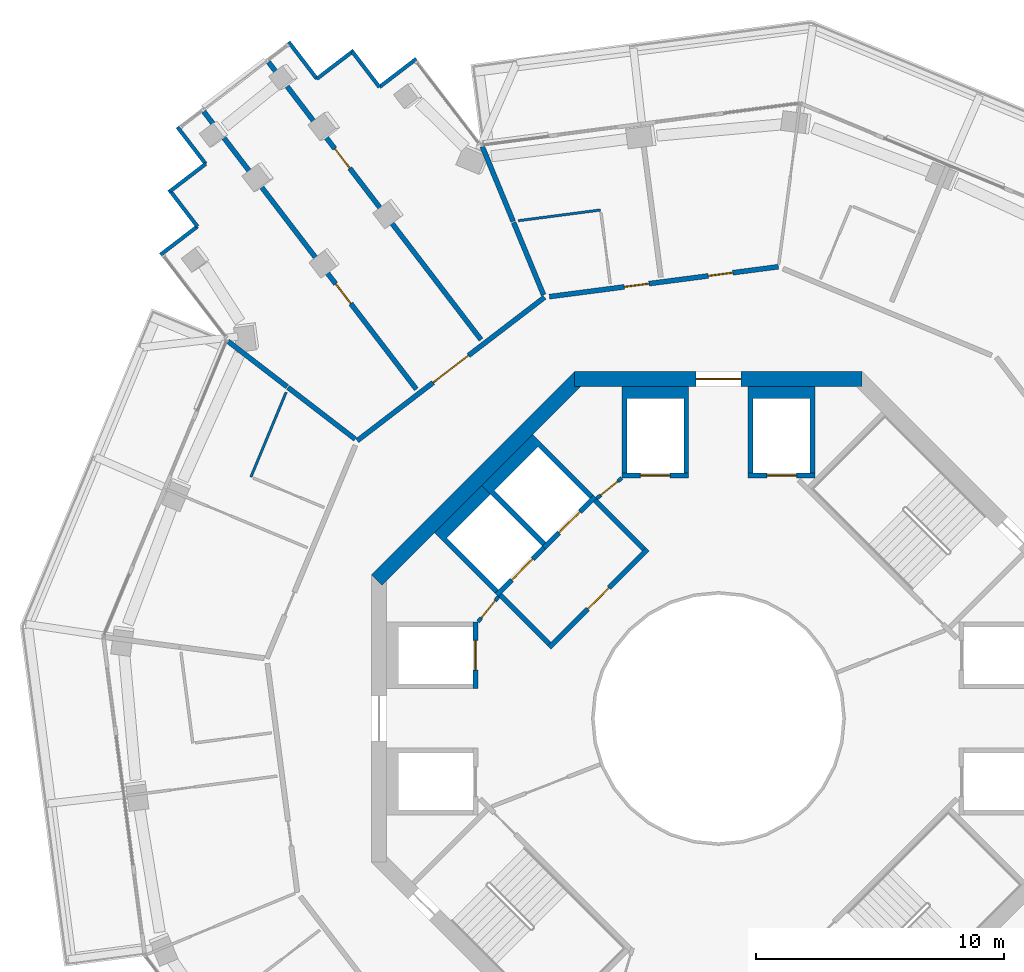
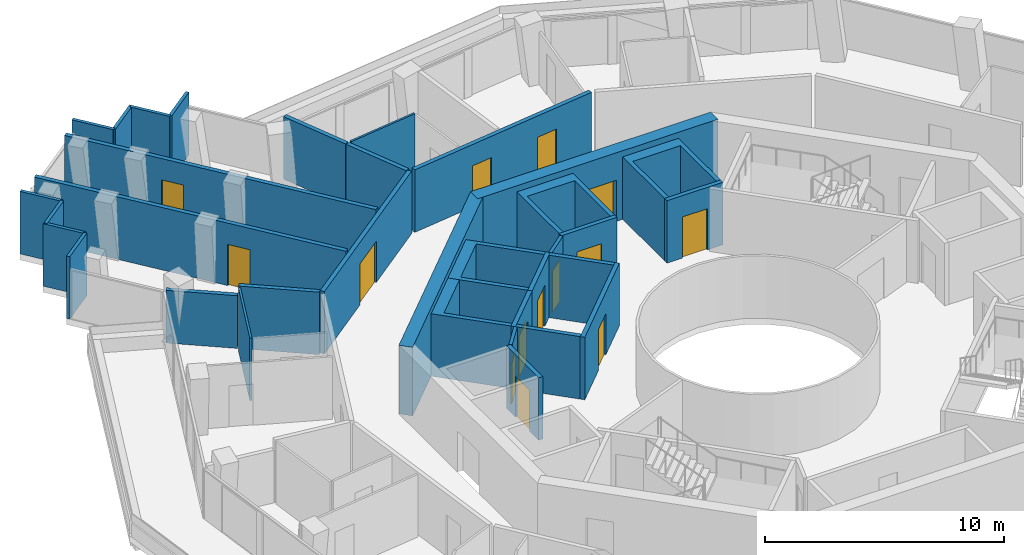
# One storey, part 20 of 25: 34 walls, 14 doors, 14 openings.
"""IFC4 building model written with IfcOpenShell, lengths in metres."""

from ifc_helpers import new_model, si_unit, direction, frame, frame_2d, origin, place, context, subcontext, project, spatial, polyline, rectangle, outline, extrude, material, layer, layer_set, type_object, element, fill, save


model = new_model("IFC4")

# Units and contexts
model_context = context("Model", 3, precision=1e-05, world=origin(), true_north=direction((0.0, 1.0)))
body_context = subcontext(model_context, "Body", "Model", "MODEL_VIEW")
ifc_project = project(units=[si_unit("LENGTHUNIT", "METRE"), si_unit("AREAUNIT", "SQUARE_METRE"), si_unit("VOLUMEUNIT", "CUBIC_METRE"), si_unit("PLANEANGLEUNIT", "RADIAN"), si_unit("MASSUNIT", "GRAM", prefix="KILO")], contexts=[model_context])

# Site, building, storey
site_placement = place(None, origin())
site = spatial("IfcSite", under=ifc_project, at=site_placement, CompositionType="ELEMENT")
building_placement = place(site_placement, origin())
building = spatial("IfcBuilding", under=site, at=building_placement, Name="Verdalira Terraces Hotel", CompositionType="ELEMENT")
storey_placement = place(building_placement, frame((0.0, 0.0, 187.0)))
storey = spatial("IfcBuildingStorey", under=building, at=storey_placement, Name="L45", CompositionType="ELEMENT", Elevation=187.0)

# Walls
ifc_material_1 = material(Name="Moisture-resistant gypsum board partition")
ifc_layer_1 = layer(ifc_material_1, 0.10009765625)
ifc_layer_set_1 = layer_set([ifc_layer_1], Name="Bathroom partition 100 mm")
wall_type_1 = type_object("IfcWallType", Name="Bathroom partition 100 mm", PredefinedType="PARTITIONING", material=ifc_layer_set_1)
wall_1_placement = place(storey_placement, frame((-17.443604, 13.161621, 0.0), z_axis=(0.0, 0.0, 1.0), x_axis=(-0.383688487, -0.923462584, 0.0)))
element("IfcWall", 1, at=wall_1_placement, inside=storey, type_object=wall_type_1, Name="Bathroom partition", PredefinedType="PARTITIONING", context=body_context, shape_type="SweptSolid", body=[
    extrude(rectangle(XDim=3.703857, YDim=0.100098, at=frame_2d((1.852051, 0.0))), origin(), (0.0, 0.0, 1.0), 3.189941),
])
wall_2_placement = place(storey_placement, frame((-8.076904, 20.081543, 0.0), z_axis=(0.0, 0.0, 1.0), x_axis=(0.991580081, 0.129494951, 0.0)))
element("IfcWall", 2, at=wall_2_placement, inside=storey, type_object=wall_type_1, Name="Bathroom partition", PredefinedType="PARTITIONING", context=body_context, shape_type="SweptSolid", body=[
    extrude(rectangle(XDim=3.350342, YDim=0.100098, at=frame_2d((1.675293, 0.0))), origin(), (0.0, 0.0, 1.0), 3.189941),
])
ifc_material_2 = material(Name="Concrete C50", Category="concrete")
ifc_layer_2 = layer(ifc_material_2, 0.199951171875)
ifc_layer_set_2 = layer_set([ifc_layer_2], Name="Core RC wall 200 C50")
wall_type_2 = type_object("IfcWallType", Name="Core RC wall 200 C50", PredefinedType="SOLIDWALL", material=ifc_layer_set_2)
wall_3_placement = place(storey_placement, origin())
element("IfcWall", 3, at=wall_3_placement, inside=storey, type_object=wall_type_2, Name="L45 shaft wall N1", PredefinedType="SOLIDWALL", context=body_context, shape_type="SweptSolid", body=[
    extrude(outline(polyline([(3.899902, 9.899902), (3.699951, 9.899902), (3.699951, 12.899902), (1.399902, 12.899902), (1.399902, 9.899902), (1.199951, 9.899902), (1.199951, 13.399902), (3.899902, 13.399902), (3.899902, 9.899902)])), origin(), (0.0, 0.0, 1.0), 3.189941),
])

# Wall, opening, door
wall_4_placement = place(storey_placement, frame((1.199951, 9.800049, 0.0), z_axis=(0.0, 0.0, 1.0), x_axis=(1.0, 0.0, 0.0)))
wall_4 = element("IfcWall", 4, at=wall_4_placement, inside=storey, type_object=wall_type_2, Name="L45 shaft front wall N1", PredefinedType="SOLIDWALL", context=body_context, shape_type="SweptSolid", body=[
    extrude(rectangle(XDim=2.699951, YDim=0.199951, at=frame_2d((1.350098, 0.0))), origin(), (0.0, 0.0, 1.0), 3.189941),
])
opening_1_placement = place(wall_4_placement, frame((0.75, 0.0, 0.0)))
opening_1 = element("IfcOpeningElement", 5, at=opening_1_placement, cuts=wall_4, Name="Opening LD-L45-804", PredefinedType="OPENING", context=body_context, shape_type="SweptSolid", body=[
    extrude(rectangle(XDim=1.199951, YDim=2.100098, at=frame_2d((0.600098, 1.050049))), frame((0.0, 0.109863, 0.0), z_axis=(0.0, -1.0, 0.0), x_axis=(1.0, 0.0, 0.0)), (0.0, 0.0, 1.0), 0.219971),
])
ifc_material_3 = material(Name="Stainless steel", Category="steel")
door_type_1 = type_object("IfcDoorType", Name="Landing door 1200 x 2100", OperationType="NOTDEFINED", PredefinedType="DOOR", material=ifc_material_3)
door_1_placement = place(opening_1_placement, origin())
door_1 = element("IfcDoor", 6, at=door_1_placement, inside=storey, type_object=door_type_1, Name="Lift landing door HR3 L45", OperationType="DOUBLE_DOOR_SLIDING", OverallHeight=2.10009765625, OverallWidth=1.199951171875, PredefinedType="DOOR", context=body_context, shape_type="SweptSolid", body=[
    extrude(rectangle(XDim=1.199951, YDim=2.100098, at=frame_2d((0.600098, 1.050049))), frame((0.0, 0.024902, 0.0), z_axis=(0.0, -1.0, 0.0), x_axis=(1.0, 0.0, 0.0)), (0.0, 0.0, 1.0), 0.050049),
])
fill(opening_1, door_1)

# Wall
wall_5_placement = place(storey_placement, origin())
element("IfcWall", 7, at=wall_5_placement, inside=storey, type_object=wall_type_2, Name="L45 shaft wall N2", PredefinedType="SOLIDWALL", context=body_context, shape_type="SweptSolid", body=[
    extrude(outline(polyline([(-3.899902, 13.399902), (-1.199951, 13.399902), (-1.199951, 9.899902), (-1.399902, 9.899902), (-1.399902, 12.899902), (-3.699951, 12.899902), (-3.699951, 9.899902), (-3.899902, 9.899902), (-3.899902, 13.399902)])), origin(), (0.0, 0.0, 1.0), 3.189941),
])

# Wall, opening, door
wall_6_placement = place(storey_placement, frame((-1.199951, 9.800049, 0.0), z_axis=(0.0, 0.0, 1.0), x_axis=(-1.0, 0.0, 0.0)))
wall_6 = element("IfcWall", 8, at=wall_6_placement, inside=storey, type_object=wall_type_2, Name="L45 shaft front wall N2", PredefinedType="SOLIDWALL", context=body_context, shape_type="SweptSolid", body=[
    extrude(rectangle(XDim=2.699951, YDim=0.199951, at=frame_2d((1.350098, 0.0))), origin(), (0.0, 0.0, 1.0), 3.189941),
])
opening_2_placement = place(wall_6_placement, frame((0.75, 0.0, 0.0)))
opening_2 = element("IfcOpeningElement", 9, at=opening_2_placement, cuts=wall_6, Name="Opening LD-L45-805", PredefinedType="OPENING", context=body_context, shape_type="SweptSolid", body=[
    extrude(rectangle(XDim=1.199951, YDim=2.100098, at=frame_2d((0.600098, 1.050049))), frame((0.0, 0.109863, 0.0), z_axis=(0.0, -1.0, 0.0), x_axis=(1.0, 0.0, 0.0)), (0.0, 0.0, 1.0), 0.219971),
])
door_2_placement = place(opening_2_placement, origin())
door_2 = element("IfcDoor", 10, at=door_2_placement, inside=storey, type_object=door_type_1, Name="Lift landing door HR4 L45", OperationType="DOUBLE_DOOR_SLIDING", OverallHeight=2.10009765625, OverallWidth=1.199951171875, PredefinedType="DOOR", context=body_context, shape_type="SweptSolid", body=[
    extrude(rectangle(XDim=1.199951, YDim=2.100098, at=frame_2d((0.600098, 1.050049))), frame((0.0, 0.024902, 0.0), z_axis=(0.0, -1.0, 0.0), x_axis=(1.0, 0.0, 0.0)), (0.0, 0.0, 1.0), 0.050049),
])
fill(opening_2, door_2)

wall_7_placement = place(storey_placement, frame((-9.800049, 1.199951, 0.0), z_axis=(0.0, 0.0, 1.0), x_axis=(0.0, 1.0, 0.0)))
wall_7 = element("IfcWall", 11, at=wall_7_placement, inside=storey, type_object=wall_type_2, Name="L45 shaft front wall W1", PredefinedType="SOLIDWALL", context=body_context, shape_type="SweptSolid", body=[
    extrude(rectangle(XDim=2.699951, YDim=0.199951, at=frame_2d((1.350098, 0.0))), origin(), (0.0, 0.0, 1.0), 3.189941),
])
opening_3_placement = place(wall_7_placement, frame((0.75, 0.0, 0.0)))
opening_3 = element("IfcOpeningElement", 12, at=opening_3_placement, cuts=wall_7, Name="Opening LD-L45-806", PredefinedType="OPENING", context=body_context, shape_type="SweptSolid", body=[
    extrude(rectangle(XDim=1.199951, YDim=2.100098, at=frame_2d((0.600098, 1.050049))), frame((0.0, 0.109863, 0.0), z_axis=(0.0, -1.0, 0.0), x_axis=(1.0, 0.0, 0.0)), (0.0, 0.0, 1.0), 0.219971),
])
door_3_placement = place(opening_3_placement, origin())
door_3 = element("IfcDoor", 13, at=door_3_placement, inside=storey, type_object=door_type_1, Name="Lift landing door HR5 L45", OperationType="DOUBLE_DOOR_SLIDING", OverallHeight=2.10009765625, OverallWidth=1.199951171875, PredefinedType="DOOR", context=body_context, shape_type="SweptSolid", body=[
    extrude(rectangle(XDim=1.199951, YDim=2.100098, at=frame_2d((0.600098, 1.050049))), frame((0.0, 0.024902, 0.0), z_axis=(0.0, -1.0, 0.0), x_axis=(1.0, 0.0, 0.0)), (0.0, 0.0, 1.0), 0.050049),
])
fill(opening_3, door_3)

# Wall
wall_8_placement = place(storey_placement, origin())
element("IfcWall", 14, at=wall_8_placement, inside=storey, type_object=wall_type_2, Name="L45 shaft wall F1", PredefinedType="SOLIDWALL", context=body_context, shape_type="SweptSolid", body=[
    extrude(outline(polyline([(-9.545898, 9.404541), (-7.495361, 11.455078), (-5.055908, 9.015625), (-5.197266, 8.874268), (-7.283203, 10.960205), (-9.051025, 9.192383), (-6.965088, 7.106445), (-7.106445, 6.965088), (-9.545898, 9.404541)])), origin(), (0.0, 0.0, 1.0), 3.189941),
])

# Wall, opening, door
wall_9_placement = place(storey_placement, frame((-4.985107, 8.944824, 0.0), z_axis=(0.0, 0.0, 1.0), x_axis=(-0.707106781, -0.707106781, 0.0)))
wall_9 = element("IfcWall", 15, at=wall_9_placement, inside=storey, type_object=wall_type_2, Name="L45 shaft front wall F1", PredefinedType="SOLIDWALL", context=body_context, shape_type="SweptSolid", body=[
    extrude(rectangle(XDim=2.899902, YDim=0.199951, at=frame_2d((1.449951, 0.0))), origin(), (0.0, 0.0, 1.0), 3.189941),
])
opening_4_placement = place(wall_9_placement, frame((0.850098, 0.0, 0.0)))
opening_4 = element("IfcOpeningElement", 16, at=opening_4_placement, cuts=wall_9, Name="Opening LD-L45-808", PredefinedType="OPENING", context=body_context, shape_type="SweptSolid", body=[
    extrude(rectangle(XDim=1.199951, YDim=2.100098, at=frame_2d((0.600098, 1.050049))), frame((0.0, 0.109863, 0.0), z_axis=(0.0, -1.0, 0.0), x_axis=(1.0, 0.0, 0.0)), (0.0, 0.0, 1.0), 0.219971),
])
door_4_placement = place(opening_4_placement, origin())
door_4 = element("IfcDoor", 17, at=door_4_placement, inside=storey, type_object=door_type_1, Name="Lift landing door LF11 L45", OperationType="DOUBLE_DOOR_SLIDING", OverallHeight=2.10009765625, OverallWidth=1.199951171875, PredefinedType="DOOR", context=body_context, shape_type="SweptSolid", body=[
    extrude(rectangle(XDim=1.199951, YDim=2.100098, at=frame_2d((0.600098, 1.050049))), frame((0.0, 0.024902, 0.0), z_axis=(0.0, -1.0, 0.0), x_axis=(1.0, 0.0, 0.0)), (0.0, 0.0, 1.0), 0.050049),
])
fill(opening_4, door_4)

# Wall
wall_10_placement = place(storey_placement, origin())
element("IfcWall", 18, at=wall_10_placement, inside=storey, type_object=wall_type_2, Name="L45 shaft wall F2", PredefinedType="SOLIDWALL", context=body_context, shape_type="SweptSolid", body=[
    extrude(outline(polyline([(-11.455078, 7.495361), (-9.545898, 9.404541), (-9.192383, 9.051025), (-10.960205, 7.283203), (-8.874268, 5.197266), (-9.015625, 5.055908), (-11.455078, 7.495361)])), origin(), (0.0, 0.0, 1.0), 3.189941),
])

# Wall, opening, door
wall_11_placement = place(storey_placement, frame((-7.035645, 6.894287, 0.0), z_axis=(0.0, 0.0, 1.0), x_axis=(-0.707106781, -0.707106781, 0.0)))
wall_11 = element("IfcWall", 19, at=wall_11_placement, inside=storey, type_object=wall_type_2, Name="L45 shaft front wall F2", PredefinedType="SOLIDWALL", context=body_context, shape_type="SweptSolid", body=[
    extrude(rectangle(XDim=2.699951, YDim=0.199951, at=frame_2d((1.350098, 0.0))), origin(), (0.0, 0.0, 1.0), 3.189941),
])
opening_5_placement = place(wall_11_placement, frame((0.649902, 0.0, 0.0)))
opening_5 = element("IfcOpeningElement", 20, at=opening_5_placement, cuts=wall_11, Name="Opening LD-L45-809", PredefinedType="OPENING", context=body_context, shape_type="SweptSolid", body=[
    extrude(rectangle(XDim=1.199951, YDim=2.100098, at=frame_2d((0.600098, 1.050049))), frame((0.0, 0.109863, 0.0), z_axis=(0.0, -1.0, 0.0), x_axis=(1.0, 0.0, 0.0)), (0.0, 0.0, 1.0), 0.219971),
])
door_5_placement = place(opening_5_placement, origin())
door_5 = element("IfcDoor", 21, at=door_5_placement, inside=storey, type_object=door_type_1, Name="Lift landing door LF12 L45", OperationType="DOUBLE_DOOR_SLIDING", OverallHeight=2.10009765625, OverallWidth=1.199951171875, PredefinedType="DOOR", context=body_context, shape_type="SweptSolid", body=[
    extrude(rectangle(XDim=1.199951, YDim=2.100098, at=frame_2d((0.600098, 1.050049))), frame((0.0, 0.024902, 0.0), z_axis=(0.0, -1.0, 0.0), x_axis=(1.0, 0.0, 0.0)), (0.0, 0.0, 1.0), 0.050049),
])
fill(opening_5, door_5)

wall_12_placement = place(storey_placement, frame((-2.86377, 6.823486, 0.0), z_axis=(0.0, 0.0, 1.0), x_axis=(-0.707106781, -0.707106781, 0.0)))
wall_12 = element("IfcWall", 22, at=wall_12_placement, inside=storey, type_object=wall_type_2, Name="L45 fire lobby wall", PredefinedType="SOLIDWALL", context=body_context, shape_type="SweptSolid", body=[
    extrude(rectangle(XDim=5.599854, YDim=0.199951, at=frame_2d((2.799805, 0.0))), origin(), (0.0, 0.0, 1.0), 3.189941),
])
opening_6_placement = place(wall_12_placement, frame((2.199951, 0.0, 0.0)))
opening_6 = element("IfcOpeningElement", 23, at=opening_6_placement, cuts=wall_12, Name="Opening L45-819", PredefinedType="OPENING", context=body_context, shape_type="SweptSolid", body=[
    extrude(rectangle(XDim=1.199951, YDim=2.100098, at=frame_2d((0.600098, 1.050049))), frame((0.0, 0.109863, 0.0), z_axis=(0.0, -1.0, 0.0), x_axis=(1.0, 0.0, 0.0)), (0.0, 0.0, 1.0), 0.219971),
])
ifc_material_4 = material(Name="Steel fire door", Category="steel")
door_type_2 = type_object("IfcDoorType", Name="Lobby door 1200 x 2100", OperationType="NOTDEFINED", PredefinedType="DOOR", material=ifc_material_4)
door_6_placement = place(opening_6_placement, origin())
door_6 = element("IfcDoor", 24, at=door_6_placement, inside=storey, type_object=door_type_2, Name="Fire lobby door L45", OperationType="SINGLE_SWING_LEFT", OverallHeight=2.10009765625, OverallWidth=1.199951171875, PredefinedType="DOOR", context=body_context, shape_type="SweptSolid", body=[
    extrude(rectangle(XDim=1.199951, YDim=2.100098, at=frame_2d((0.600098, 1.050049))), frame((0.0, 0.024902, 0.0), z_axis=(0.0, -1.0, 0.0), x_axis=(1.0, 0.0, 0.0)), (0.0, 0.0, 1.0), 0.050049),
])
fill(opening_6, door_6)

# Walls
for number, where, z_axis, x_axis, name in (
    (25, (-3.005127, 6.823486, 0.0), (0.0, 0.0, 1.0), (-0.707106781, 0.707106781, 0.0), "L45 fire lobby wall"),
    (26, (-6.823486, 3.005127, 0.0), (0.0, 0.0, 1.0), (-0.707106781, 0.707106781, 0.0), "L45 fire lobby wall"),
):
    element("IfcWall", number, at=place(storey_placement, frame(where, z_axis=z_axis, x_axis=x_axis)), inside=storey, type_object=wall_type_2, Name=name, PredefinedType="SOLIDWALL", context=body_context, shape_type="SweptSolid", body=[
        extrude(rectangle(XDim=2.800049, YDim=0.199951, at=frame_2d((1.399902, 0.0))), origin(), (0.0, 0.0, 1.0), 3.189941),
    ])

# Wall, opening, door
ifc_material_5 = material(Name="Gypsum board partition")
ifc_layer_3 = layer(ifc_material_5, 0.14990234375)
ifc_layer_set_3 = layer_set([ifc_layer_3], Name="Core partition 150 mm")
wall_type_3 = type_object("IfcWallType", Name="Core partition 150 mm", PredefinedType="PARTITIONING", material=ifc_layer_set_3)
wall_13_placement = place(storey_placement, frame((-3.899902, 9.699951, 0.0), z_axis=(0.0, 0.0, 1.0), x_axis=(-0.775559878, -0.631274009, 0.0)))
wall_13 = element("IfcWall", 27, at=wall_13_placement, inside=storey, type_object=wall_type_3, Name="Room partition L45", PredefinedType="PARTITIONING", context=body_context, shape_type="SweptSolid", body=[
    extrude(rectangle(XDim=1.307861, YDim=0.149902, at=frame_2d((0.653809, 0.0))), origin(), (0.0, 0.0, 1.0), 3.189941),
])
opening_7_placement = place(wall_13_placement, frame((0.204102, 0.0, 0.0)))
opening_7 = element("IfcOpeningElement", 28, at=opening_7_placement, cuts=wall_13, Name="Opening L45-820", PredefinedType="OPENING", context=body_context, shape_type="SweptSolid", body=[
    extrude(rectangle(XDim=0.899902, YDim=2.100098, at=frame_2d((0.449951, 1.050049))), frame((0.0, 0.084961, 0.0), z_axis=(0.0, -1.0, 0.0), x_axis=(1.0, 0.0, 0.0)), (0.0, 0.0, 1.0), 0.169922),
])
ifc_material_6 = material(Name="Steel fire door", Category="steel")
door_type_3 = type_object("IfcDoorType", Name="Core room door 900 x 2100", OperationType="NOTDEFINED", PredefinedType="DOOR", material=ifc_material_6)
door_7_placement = place(opening_7_placement, origin())
door_7 = element("IfcDoor", 29, at=door_7_placement, inside=storey, type_object=door_type_3, Name="Door L45 room2", OperationType="SINGLE_SWING_LEFT", OverallHeight=2.10009765625, OverallWidth=0.89990234375, PredefinedType="DOOR", context=body_context, shape_type="SweptSolid", body=[
    extrude(rectangle(XDim=0.899902, YDim=2.100098, at=frame_2d((0.449951, 1.050049))), frame((0.0, 0.024902, 0.0), z_axis=(0.0, -1.0, 0.0), x_axis=(1.0, 0.0, 0.0)), (0.0, 0.0, 1.0), 0.050049),
])
fill(opening_7, door_7)

wall_14_placement = place(storey_placement, frame((-8.874268, 4.914307, 0.0), z_axis=(0.0, 0.0, 1.0), x_axis=(-0.631274009, -0.775559878, 0.0)))
wall_14 = element("IfcWall", 30, at=wall_14_placement, inside=storey, type_object=wall_type_3, Name="Room partition L45", PredefinedType="PARTITIONING", context=body_context, shape_type="SweptSolid", body=[
    extrude(rectangle(XDim=1.307861, YDim=0.149902, at=frame_2d((0.653809, 0.0))), origin(), (0.0, 0.0, 1.0), 3.189941),
])
opening_8_placement = place(wall_14_placement, frame((0.204102, 0.0, 0.0)))
opening_8 = element("IfcOpeningElement", 31, at=opening_8_placement, cuts=wall_14, Name="Opening L45-821", PredefinedType="OPENING", context=body_context, shape_type="SweptSolid", body=[
    extrude(rectangle(XDim=0.899902, YDim=2.100098, at=frame_2d((0.449951, 1.050049))), frame((0.0, 0.084961, 0.0), z_axis=(0.0, -1.0, 0.0), x_axis=(1.0, 0.0, 0.0)), (0.0, 0.0, 1.0), 0.169922),
])
door_8_placement = place(opening_8_placement, origin())
door_8 = element("IfcDoor", 32, at=door_8_placement, inside=storey, type_object=door_type_3, Name="Door L45 room3", OperationType="SINGLE_SWING_LEFT", OverallHeight=2.10009765625, OverallWidth=0.89990234375, PredefinedType="DOOR", context=body_context, shape_type="SweptSolid", body=[
    extrude(rectangle(XDim=0.899902, YDim=2.100098, at=frame_2d((0.449951, 1.050049))), frame((0.0, 0.024902, 0.0), z_axis=(0.0, -1.0, 0.0), x_axis=(1.0, 0.0, 0.0)), (0.0, 0.0, 1.0), 0.050049),
])
fill(opening_8, door_8)

ifc_material_7 = material(Name="Concrete C60", Category="concrete")
ifc_layer_4 = layer(ifc_material_7, 0.60009765625)
ifc_layer_set_4 = layer_set([ifc_layer_4], Name="Core wall 600 C60")
wall_type_4 = type_object("IfcWallType", Name="Core wall 600 C60", PredefinedType="SHEAR", material=ifc_layer_set_4)
wall_15_placement = place(storey_placement, frame((5.799072, 13.699951, 0.0), z_axis=(0.0, 0.0, 1.0), x_axis=(-1.0, 0.0, 0.0)))
wall_15 = element("IfcWall", 33, at=wall_15_placement, inside=storey, type_object=wall_type_4, Name="Core wall CW-L45-3", PredefinedType="SHEAR", context=body_context, shape_type="SweptSolid", body=[
    extrude(rectangle(XDim=11.598145, YDim=0.600098, at=frame_2d((5.799072, 0.0))), origin(), (0.0, 0.0, 1.0), 3.5),
])
opening_9_placement = place(wall_15_placement, frame((4.898926, 0.0, 0.0)))
opening_9 = element("IfcOpeningElement", 34, at=opening_9_placement, cuts=wall_15, Name="Opening L45-814", PredefinedType="OPENING", context=body_context, shape_type="SweptSolid", body=[
    extrude(rectangle(XDim=1.800049, YDim=2.100098, at=frame_2d((0.899902, 1.050049))), frame((0.0, 0.310059, 0.0), z_axis=(0.0, -1.0, 0.0), x_axis=(1.0, 0.0, 0.0)), (0.0, 0.0, 1.0), 0.620117),
])
ifc_material_8 = material(Name="Steel fire door", Category="steel")
door_type_4 = type_object("IfcDoorType", Name="Core entry door pair 1800 x 2100", OperationType="NOTDEFINED", PredefinedType="DOOR", material=ifc_material_8)
door_9_placement = place(opening_9_placement, origin())
door_9 = element("IfcDoor", 35, at=door_9_placement, inside=storey, type_object=door_type_4, Name="Core entry door L45 2", OperationType="DOUBLE_DOOR_SINGLE_SWING", OverallHeight=2.10009765625, OverallWidth=1.800048828125, PredefinedType="DOOR", context=body_context, shape_type="SweptSolid", body=[
    extrude(rectangle(XDim=1.800049, YDim=2.100098, at=frame_2d((0.899902, 1.050049))), frame((0.0, 0.024902, 0.0), z_axis=(0.0, -1.0, 0.0), x_axis=(1.0, 0.0, 0.0)), (0.0, 0.0, 1.0), 0.050049),
])
fill(opening_9, door_9)

# Wall
wall_16_placement = place(storey_placement, frame((-5.586914, 13.787842, 0.0), z_axis=(0.0, 0.0, 1.0), x_axis=(-0.707106781, -0.707106781, 0.0)))
element("IfcWall", 36, at=wall_16_placement, inside=storey, type_object=wall_type_4, Name="Core wall CW-L45-4", PredefinedType="SHEAR", context=body_context, shape_type="SweptSolid", body=[
    extrude(rectangle(XDim=11.5979, YDim=0.600098, at=frame_2d((5.798828, 0.0))), origin(), (0.0, 0.0, 1.0), 3.5),
])

# Wall, opening, door
ifc_material_9 = material(Name="Fire-rated gypsum board wall")
ifc_layer_5 = layer(ifc_material_9, 0.199951171875)
ifc_layer_set_5 = layer_set([ifc_layer_5], Name="Demising wall 200 mm")
wall_type_5 = type_object("IfcWallType", Name="Demising wall 200 mm", PredefinedType="SOLIDWALL", material=ifc_layer_set_5)
wall_17_placement = place(storey_placement, frame((-12.189697, 13.284668, 0.0), z_axis=(0.0, 0.0, 1.0), x_axis=(-0.607936243, 0.793985846, 0.0)))
wall_17 = element("IfcWall", 37, at=wall_17_placement, inside=storey, type_object=wall_type_5, Name="Demising wall", PredefinedType="SOLIDWALL", context=body_context, shape_type="SweptSolid", body=[
    extrude(rectangle(XDim=14.10791, YDim=0.199951, at=frame_2d((7.053955, 0.0))), origin(), (0.0, 0.0, 1.0), 3.189941),
])
opening_10_placement = place(wall_17_placement, frame((4.350098, 0.0, 0.0)))
opening_10 = element("IfcOpeningElement", 38, at=opening_10_placement, cuts=wall_17, Name="Opening L45-103", PredefinedType="OPENING", context=body_context, shape_type="SweptSolid", body=[
    extrude(rectangle(XDim=1.0, YDim=2.100098, at=frame_2d((0.5, 1.050049))), frame((0.0, 0.109863, 0.0), z_axis=(0.0, -1.0, 0.0), x_axis=(1.0, 0.0, 0.0)), (0.0, 0.0, 1.0), 0.219971),
])
ifc_material_10 = material(Name="Timber fire door", Category="wood")
door_type_5 = type_object("IfcDoorType", Name="Public room door 1000 x 2100", OperationType="NOTDEFINED", PredefinedType="DOOR", material=ifc_material_10)
door_10_placement = place(opening_10_placement, origin())
door_10 = element("IfcDoor", 39, at=door_10_placement, inside=storey, type_object=door_type_5, Name="Public room door 4501", OperationType="SINGLE_SWING_LEFT", OverallHeight=2.10009765625, OverallWidth=1.0, PredefinedType="DOOR", context=body_context, shape_type="SweptSolid", body=[
    extrude(rectangle(XDim=1.0, YDim=2.100098, at=frame_2d((0.5, 1.050049))), frame((0.0, 0.024902, 0.0), z_axis=(0.0, -1.0, 0.0), x_axis=(1.0, 0.0, 0.0)), (0.0, 0.0, 1.0), 0.050049),
])
fill(opening_10, door_10)

# Wall
wall_18_placement = place(storey_placement, frame((-14.656006, 11.270264, 0.0), z_axis=(0.0, 0.0, 1.0), x_axis=(-0.792682395, 0.609634825, 0.0)))
element("IfcWall", 40, at=wall_18_placement, inside=storey, type_object=wall_type_5, Name="Demising wall", PredefinedType="SOLIDWALL", context=body_context, shape_type="SweptSolid", body=[
    extrude(rectangle(XDim=3.418457, YDim=0.199951, at=frame_2d((1.709229, 0.0))), origin(), (0.0, 0.0, 1.0), 3.189941),
])

# Wall, opening, door
wall_19_placement = place(storey_placement, frame((-18.156738, 26.484131, 0.0), z_axis=(0.0, 0.0, 1.0), x_axis=(0.607936243, -0.793985846, 0.0)))
wall_19 = element("IfcWall", 41, at=wall_19_placement, inside=storey, type_object=wall_type_5, Name="Demising wall", PredefinedType="SOLIDWALL", context=body_context, shape_type="SweptSolid", body=[
    extrude(rectangle(XDim=14.10791, YDim=0.199951, at=frame_2d((7.053955, 0.0))), origin(), (0.0, 0.0, 1.0), 3.189941),
])
opening_11_placement = place(wall_19_placement, frame((4.399902, 0.0, 0.0)))
opening_11 = element("IfcOpeningElement", 42, at=opening_11_placement, cuts=wall_19, Name="Opening L45-102", PredefinedType="OPENING", context=body_context, shape_type="SweptSolid", body=[
    extrude(rectangle(XDim=1.0, YDim=2.100098, at=frame_2d((0.5, 1.050049))), frame((0.0, 0.109863, 0.0), z_axis=(0.0, -1.0, 0.0), x_axis=(1.0, 0.0, 0.0)), (0.0, 0.0, 1.0), 0.219971),
])
door_11_placement = place(opening_11_placement, origin())
door_11 = element("IfcDoor", 43, at=door_11_placement, inside=storey, type_object=door_type_5, Name="Public room door 4501", OperationType="SINGLE_SWING_LEFT", OverallHeight=2.10009765625, OverallWidth=1.0, PredefinedType="DOOR", context=body_context, shape_type="SweptSolid", body=[
    extrude(rectangle(XDim=1.0, YDim=2.100098, at=frame_2d((0.5, 1.050049))), frame((0.0, 0.024902, 0.0), z_axis=(0.0, -1.0, 0.0), x_axis=(1.0, 0.0, 0.0)), (0.0, 0.0, 1.0), 0.050049),
])
fill(opening_11, door_11)

# Walls
wall_20_placement = place(storey_placement, frame((-9.529297, 23.07373, 0.0), z_axis=(0.0, 0.0, 1.0), x_axis=(0.381760154, -0.924261426, 0.0)))
element("IfcWall", 44, at=wall_20_placement, inside=storey, type_object=wall_type_5, Name="Demising wall", PredefinedType="SOLIDWALL", context=body_context, shape_type="SweptSolid", body=[
    extrude(rectangle(XDim=3.268555, YDim=0.199951, at=frame_2d((1.634277, 0.0))), origin(), (0.0, 0.0, 1.0), 3.189941),
])
wall_21_placement = place(storey_placement, frame((-8.263916, 20.010254, 0.0), z_axis=(0.0, 0.0, 1.0), x_axis=(0.381674098, -0.924296967, 0.0)))
element("IfcWall", 45, at=wall_21_placement, inside=storey, type_object=wall_type_5, Name="Demising wall", PredefinedType="SOLIDWALL", context=body_context, shape_type="SweptSolid", body=[
    extrude(rectangle(XDim=3.161133, YDim=0.199951, at=frame_2d((1.580566, 0.0))), origin(), (0.0, 0.0, 1.0), 3.189941),
])
ifc_material_11 = material(Name="Fire-rated gypsum board wall")
ifc_layer_6 = layer(ifc_material_11, 0.199951171875)
ifc_layer_set_6 = layer_set([ifc_layer_6], Name="Demising wall 200 mm to beam soffit")
wall_type_6 = type_object("IfcWallType", Name="Demising wall 200 mm to beam soffit", PredefinedType="SOLIDWALL", material=ifc_layer_set_6)
wall_22_placement = place(storey_placement, frame((-17.4021, 13.38208, 0.0), z_axis=(0.0, 0.0, 1.0), x_axis=(-0.792684259, 0.609632402, 0.0)))
element("IfcWall", 46, at=wall_22_placement, inside=storey, type_object=wall_type_6, Name="Demising wall", PredefinedType="SOLIDWALL", context=body_context, shape_type="SweptSolid", body=[
    extrude(rectangle(XDim=3.011475, YDim=0.199951, at=frame_2d((1.505859, 0.0))), origin(), (0.0, 0.0, 1.0), 2.689941),
])

# Wall, opening, door
ifc_material_12 = material(Name="Fire-rated gypsum board wall")
ifc_layer_7 = layer(ifc_material_12, 0.199951171875)
ifc_layer_set_7 = layer_set([ifc_layer_7], Name="Guest corridor wall 200 mm")
wall_type_7 = type_object("IfcWallType", Name="Guest corridor wall 200 mm", PredefinedType="SOLIDWALL", material=ifc_layer_set_7)
wall_23_placement = place(storey_placement, frame((-14.573975, 11.207275, 0.0), z_axis=(0.0, 0.0, 1.0), x_axis=(0.793994332, 0.60792516, 0.0)))
wall_23 = element("IfcWall", 47, at=wall_23_placement, inside=storey, type_object=wall_type_7, Name="Guest corridor wall", PredefinedType="SOLIDWALL", context=body_context, shape_type="SweptSolid", body=[
    extrude(rectangle(XDim=9.516602, YDim=0.199951, at=frame_2d((4.758301, 0.0))), origin(), (0.0, 0.0, 1.0), 3.189941),
])
opening_12_placement = place(wall_23_placement, frame((3.855957, 0.0, 0.0)))
opening_12 = element("IfcOpeningElement", 48, at=opening_12_placement, cuts=wall_23, Name="Opening L45-101", PredefinedType="OPENING", context=body_context, shape_type="SweptSolid", body=[
    extrude(rectangle(XDim=1.800049, YDim=2.100098, at=frame_2d((0.899902, 1.050049))), frame((0.0, 0.109863, 0.0), z_axis=(0.0, -1.0, 0.0), x_axis=(1.0, 0.0, 0.0)), (0.0, 0.0, 1.0), 0.219971),
])
ifc_material_13 = material(Name="Timber fire door", Category="wood")
door_type_6 = type_object("IfcDoorType", Name="Public room double door 1800 x 2100", OperationType="NOTDEFINED", PredefinedType="DOOR", material=ifc_material_13)
door_12_placement = place(opening_12_placement, origin())
door_12 = element("IfcDoor", 49, at=door_12_placement, inside=storey, type_object=door_type_6, Name="Public room double door 4501", OperationType="DOUBLE_DOOR_SINGLE_SWING", OverallHeight=2.10009765625, OverallWidth=1.800048828125, PredefinedType="DOOR", context=body_context, shape_type="SweptSolid", body=[
    extrude(rectangle(XDim=1.800049, YDim=2.100098, at=frame_2d((0.899902, 1.050049))), frame((0.0, 0.024902, 0.0), z_axis=(0.0, -1.0, 0.0), x_axis=(1.0, 0.0, 0.0)), (0.0, 0.0, 1.0), 0.050049),
])
fill(opening_12, door_12)

# Wall, openings, doors
wall_24_placement = place(storey_placement, frame((-6.819336, 17.018555, 0.0), z_axis=(0.0, 0.0, 1.0), x_axis=(0.991578624, 0.129506106, 0.0)))
wall_24 = element("IfcWall", 50, at=wall_24_placement, inside=storey, type_object=wall_type_7, Name="Guest corridor wall", PredefinedType="SOLIDWALL", context=body_context, shape_type="SweptSolid", body=[
    extrude(rectangle(XDim=9.316406, YDim=0.199951, at=frame_2d((4.658203, 0.0))), origin(), (0.0, 0.0, 1.0), 3.189941),
])
opening_13_placement = place(wall_24_placement, frame((6.458252, 0.0, 0.0)))
opening_13 = element("IfcOpeningElement", 51, at=opening_13_placement, cuts=wall_24, Name="Opening L45-127", PredefinedType="OPENING", context=body_context, shape_type="SweptSolid", body=[
    extrude(rectangle(XDim=1.0, YDim=2.100098, at=frame_2d((0.5, 1.050049))), frame((0.0, 0.109863, 0.0), z_axis=(0.0, -1.0, 0.0), x_axis=(1.0, 0.0, 0.0)), (0.0, 0.0, 1.0), 0.219971),
])
opening_14_placement = place(wall_24_placement, frame((3.050049, 0.0, 0.0)))
opening_14 = element("IfcOpeningElement", 52, at=opening_14_placement, cuts=wall_24, Name="Opening L45-130", PredefinedType="OPENING", context=body_context, shape_type="SweptSolid", body=[
    extrude(rectangle(XDim=1.0, YDim=2.100098, at=frame_2d((0.5, 1.050049))), frame((0.0, 0.109863, 0.0), z_axis=(0.0, -1.0, 0.0), x_axis=(1.0, 0.0, 0.0)), (0.0, 0.0, 1.0), 0.219971),
])
ifc_material_14 = material(Name="Timber fire door", Category="wood")
door_type_7 = type_object("IfcDoorType", Name="Guest entry door 1000 x 2100", OperationType="NOTDEFINED", PredefinedType="DOOR", material=ifc_material_14)
door_13_placement = place(opening_13_placement, origin())
door_13 = element("IfcDoor", 53, at=door_13_placement, inside=storey, type_object=door_type_7, Name="Guest entry door 4510", OperationType="SINGLE_SWING_LEFT", OverallHeight=2.10009765625, OverallWidth=1.0, PredefinedType="DOOR", context=body_context, shape_type="SweptSolid", body=[
    extrude(rectangle(XDim=1.0, YDim=2.100098, at=frame_2d((0.5, 1.050049))), frame((0.0, 0.024902, 0.0), z_axis=(0.0, -1.0, 0.0), x_axis=(1.0, 0.0, 0.0)), (0.0, 0.0, 1.0), 0.050049),
])
fill(opening_13, door_13)
door_14_placement = place(opening_14_placement, origin())
door_14 = element("IfcDoor", 54, at=door_14_placement, inside=storey, type_object=door_type_7, Name="Guest entry door 4511", OperationType="SINGLE_SWING_RIGHT", OverallHeight=2.10009765625, OverallWidth=1.0, PredefinedType="DOOR", context=body_context, shape_type="SweptSolid", body=[
    extrude(rectangle(XDim=1.0, YDim=2.100098, at=frame_2d((0.5, 1.050049))), frame((0.0, 0.024902, 0.0), z_axis=(0.0, -1.0, 0.0), x_axis=(1.0, 0.0, 0.0)), (0.0, 0.0, 1.0), 0.050049),
])
fill(opening_14, door_14)

# Walls
ifc_material_15 = material(Name="Terracotta cladding", Category="masonry")
ifc_layer_8 = layer(ifc_material_15, 0.14990234375)
ifc_layer_set_8 = layer_set([ifc_layer_8], Name="Terracotta clad wall 150")
wall_type_8 = type_object("IfcWallType", Name="Terracotta clad wall 150", PredefinedType="SOLIDWALL", material=ifc_layer_set_8)
wall_25_placement = place(storey_placement, frame((-12.190186, 26.613037, 0.0), z_axis=(0.0, 0.0, 1.0), x_axis=(-0.793991806, -0.607928459, 0.0)))
element("IfcWall", 55, at=wall_25_placement, inside=storey, type_object=wall_type_8, Name="Terracotta cladding wall", PredefinedType="SOLIDWALL", context=body_context, shape_type="SweptSolid", body=[
    extrude(rectangle(XDim=1.875, YDim=0.149902, at=frame_2d((0.9375, 0.0))), origin(), (0.0, 0.0, 1.0), 3.189941),
])
wall_26_placement = place(storey_placement, frame((-13.678955, 25.473145, 0.0), z_axis=(0.0, 0.0, 1.0), x_axis=(-0.607913175, 0.794003509, 0.0)))
element("IfcWall", 56, at=wall_26_placement, inside=storey, type_object=wall_type_8, Name="Terracotta cladding wall", PredefinedType="SOLIDWALL", context=body_context, shape_type="SweptSolid", body=[
    extrude(rectangle(XDim=1.800049, YDim=0.149902, at=frame_2d((0.899902, 0.0))), origin(), (0.0, 0.0, 1.0), 3.189941),
])
for number, where, z_axis, x_axis, name in (
    (57, (-14.713623, 26.947998, 0.0), (0.0, 0.0, 1.0), (-0.793991806, -0.607928459, 0.0), "Terracotta cladding wall"),
    (58, (-16.202393, 25.808105, 0.0), (0.0, 0.0, 1.0), (-0.607928459, 0.793991806, 0.0), "Terracotta cladding wall"),
    (59, (-21.828125, 23.862061, 0.0), (0.0, 0.0, 1.0), (0.607846365, -0.794054656, 0.0), "Terracotta cladding wall"),
):
    element("IfcWall", number, at=place(storey_placement, frame(where, z_axis=z_axis, x_axis=x_axis)), inside=storey, type_object=wall_type_8, Name=name, PredefinedType="SOLIDWALL", context=body_context, shape_type="SweptSolid", body=[
        extrude(rectangle(XDim=1.875, YDim=0.149902, at=frame_2d((0.9375, 0.0))), origin(), (0.0, 0.0, 1.0), 3.189941),
    ])
wall_27_placement = place(storey_placement, frame((-20.688477, 22.373291, 0.0), z_axis=(0.0, 0.0, 1.0), x_axis=(-0.794003509, -0.607913175, 0.0)))
element("IfcWall", 60, at=wall_27_placement, inside=storey, type_object=wall_type_8, Name="Terracotta cladding wall", PredefinedType="SOLIDWALL", context=body_context, shape_type="SweptSolid", body=[
    extrude(rectangle(XDim=1.800049, YDim=0.149902, at=frame_2d((0.899902, 0.0))), origin(), (0.0, 0.0, 1.0), 3.189941),
])
for number, where, z_axis, x_axis, name in (
    (61, (-22.163086, 21.338623, 0.0), (0.0, 0.0, 1.0), (0.607928459, -0.793991806, 0.0), "Terracotta cladding wall"),
    (62, (-21.023193, 19.849854, 0.0), (0.0, 0.0, 1.0), (-0.793991806, -0.607928459, 0.0), "Terracotta cladding wall"),
):
    element("IfcWall", number, at=place(storey_placement, frame(where, z_axis=z_axis, x_axis=x_axis)), inside=storey, type_object=wall_type_8, Name=name, PredefinedType="SOLIDWALL", context=body_context, shape_type="SweptSolid", body=[
        extrude(rectangle(XDim=1.875, YDim=0.149902, at=frame_2d((0.9375, 0.0))), origin(), (0.0, 0.0, 1.0), 3.189941),
    ])

save(model, "model.ifc")
